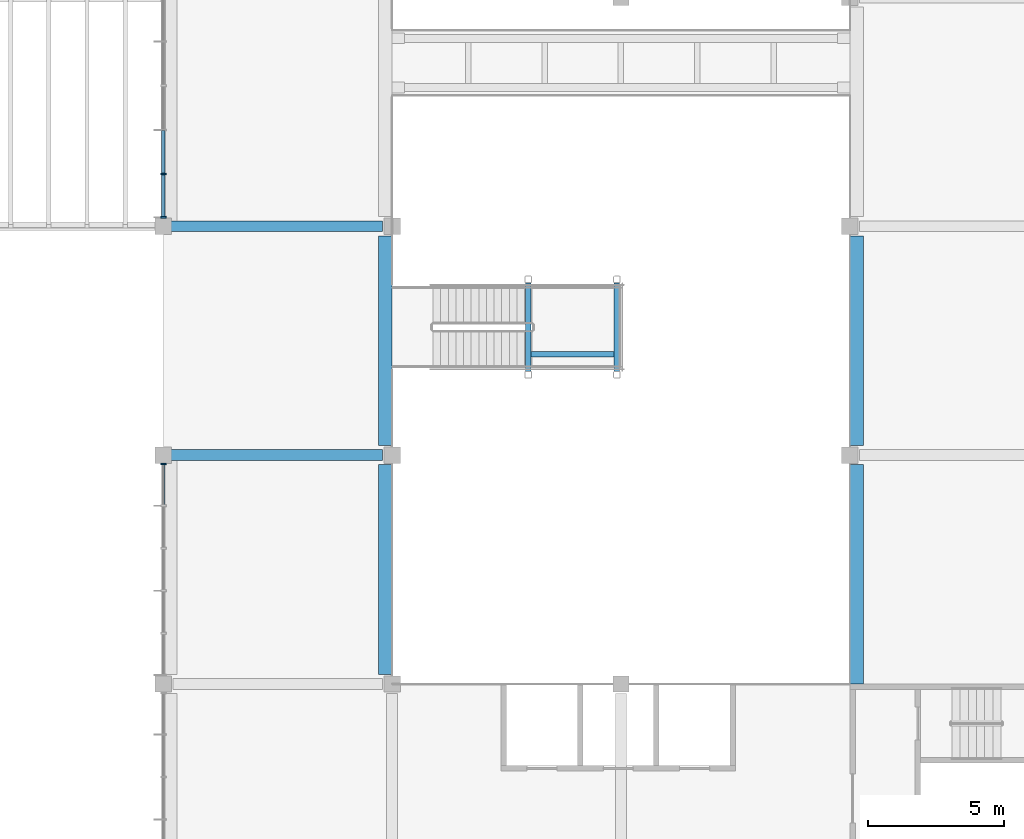
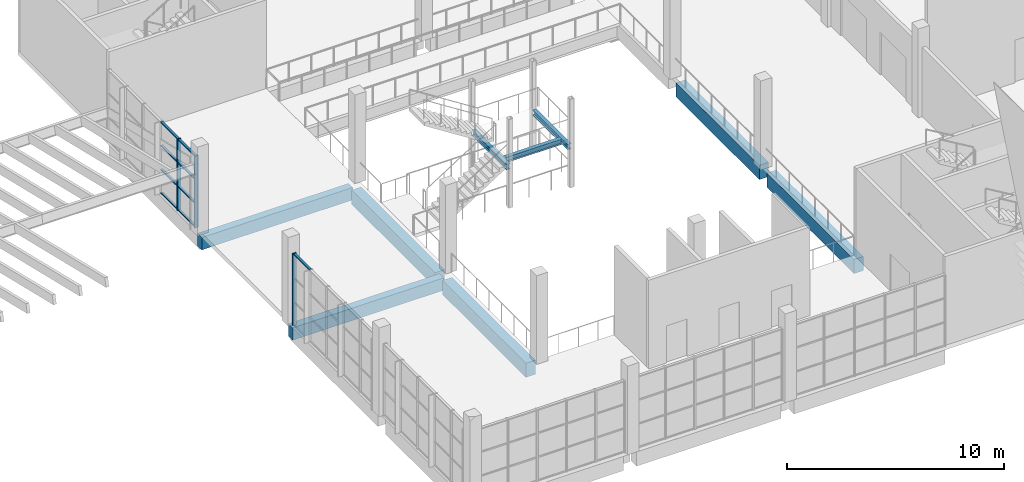
# One storey, part 8 of 59: 12 members, 9 beams, 2 elements without a shape of their own.
"""IFC4 building model written with IfcOpenShell, lengths in metres."""

from ifc_helpers import new_model, si_unit, direction, frame, origin, origin_2d, place, context, subcontext, project, spatial, rectangle, i_section, extrude, material, material_profile, profile_set, type_object, element, aggregate, save


model = new_model("IFC4")

# Units and contexts
model_context = context("Model", 3, precision=1e-05, world=origin(), true_north=direction((0.0, 1.0)))
body_context = subcontext(model_context, "Body", "Model", "MODEL_VIEW")
ifc_project = project(units=[si_unit("LENGTHUNIT", "METRE"), si_unit("AREAUNIT", "SQUARE_METRE"), si_unit("VOLUMEUNIT", "CUBIC_METRE"), si_unit("PLANEANGLEUNIT", "RADIAN"), si_unit("MASSUNIT", "GRAM", prefix="KILO")], contexts=[model_context])

# Site, building, storey
site_placement = place(None, origin())
site = spatial("IfcSite", under=ifc_project, at=site_placement, CompositionType="ELEMENT")
building_placement = place(site_placement, origin())
building = spatial("IfcBuilding", under=site, at=building_placement, Name="Almond Square Museum", CompositionType="ELEMENT")
storey_placement = place(building_placement, frame((0.0, 0.0, 25.0)))
storey = spatial("IfcBuildingStorey", under=building, at=storey_placement, Name="L04", CompositionType="ELEMENT", Elevation=25.0)

# Curtain wall, members
ifc_material_1 = material(Name="Aluminium and laminated glass", Category="aluminium")
curtain_wall_type = type_object("IfcCurtainWallType", Name="Unitised curtain wall 1500 module", PredefinedType="NOTDEFINED", material=ifc_material_1)
curtain_wall_1_placement = place(storey_placement, origin())
curtain_wall_1 = element("IfcCurtainWall", 1, at=curtain_wall_1_placement, inside=storey, type_object=curtain_wall_type, Name="Curtain wall CW-44", PredefinedType="NOTDEFINED")
ifc_material_2 = material(Name="Anodised aluminium", Category="aluminium")
ifc_material_profile_1 = material_profile(ifc_material_2, rectangle(XDim=0.199951171875, YDim=0.06005859375, at=origin_2d()))
ifc_profile_set_1 = profile_set([ifc_material_profile_1], Name="Anodised aluminium")
member_type_1 = type_object("IfcMemberType", Name="Aluminium mullion 60 x 200", PredefinedType="MULLION", material=ifc_profile_set_1)
member_1_placement = place(storey_placement, frame((73.199951171875, 92.72998046875, 0.0), z_axis=(0.0, 0.0, 1.0), x_axis=(-1.0, 0.0, 0.0)))
member_1 = element("IfcMember", 2, at=member_1_placement, type_object=member_type_1, Name="CW-44 mullion 1", PredefinedType="MULLION", context=body_context, shape_type="SweptSolid", body=[
    extrude(rectangle(XDim=0.199951171875, YDim=0.06005859375, at=origin_2d()), origin(), (0.0, 0.0, 1.0), 4.050048828125),
])
member_2_placement = place(storey_placement, frame((73.199951171875, 94.320068359375, 0.0), z_axis=(0.0, 0.0, 1.0), x_axis=(-1.0, 0.0, 0.0)))
member_2 = element("IfcMember", 3, at=member_2_placement, type_object=member_type_1, Name="CW-44 mullion 2", PredefinedType="MULLION", context=body_context, shape_type="SweptSolid", body=[
    extrude(rectangle(XDim=0.199951171875, YDim=0.06005859375, at=origin_2d()), origin(), (0.0, 0.0, 1.0), 4.050048828125),
])

# Curtain wall, member
curtain_wall_2_placement = place(storey_placement, origin())
curtain_wall_2 = element("IfcCurtainWall", 4, at=curtain_wall_2_placement, inside=storey, type_object=curtain_wall_type, Name="Curtain wall CW-45", PredefinedType="NOTDEFINED")
member_3_placement = place(storey_placement, frame((73.199951171875, 83.669921875, 0.0), z_axis=(0.0, 0.0, 1.0), x_axis=(-1.0, 0.0, 0.0)))
member_3 = element("IfcMember", 5, at=member_3_placement, type_object=member_type_1, Name="CW-45 mullion 6", PredefinedType="MULLION", context=body_context, shape_type="SweptSolid", body=[
    extrude(rectangle(XDim=0.199951171875, YDim=0.06005859375, at=origin_2d()), origin(), (0.0, 0.0, 1.0), 4.050048828125),
])

# Member
ifc_material_3 = material(Name="Anodised aluminium", Category="aluminium")
ifc_material_profile_2 = material_profile(ifc_material_3, rectangle(XDim=0.1201171875, YDim=0.06005859375, at=origin_2d()))
ifc_profile_set_2 = profile_set([ifc_material_profile_2], Name="Anodised aluminium")
member_type_2 = type_object("IfcMemberType", Name="Aluminium transom 60 x 120", PredefinedType="USERDEFINED", material=ifc_profile_set_2)
member_4_placement = place(storey_placement, frame((73.199951171875, 92.760009765625, 0.030029296875), z_axis=(0.0, 1.0, 0.0), x_axis=(-1.0, 0.0, 0.0)))
member_4 = element("IfcMember", 6, at=member_4_placement, type_object=member_type_2, Name="CW-44 transom 1.1", ObjectType="TRANSOM", PredefinedType="USERDEFINED", context=body_context, shape_type="SweptSolid", body=[
    extrude(rectangle(XDim=0.1201171875, YDim=0.06005859375, at=origin_2d()), origin(), (0.0, 0.0, 1.0), 1.530029296875),
])

member_5_placement = place(storey_placement, frame((73.199951171875, 92.760009765625, 1.35009765625), z_axis=(0.0, 1.0, 0.0), x_axis=(-1.0, 0.0, 0.0)))
member_5 = element("IfcMember", 7, at=member_5_placement, type_object=member_type_2, Name="CW-44 transom 1.2", ObjectType="TRANSOM", PredefinedType="USERDEFINED", context=body_context, shape_type="SweptSolid", body=[
    extrude(rectangle(XDim=0.1201171875, YDim=0.06005859375, at=origin_2d()), origin(), (0.0, 0.0, 1.0), 1.530029296875),
])

member_6_placement = place(storey_placement, frame((73.199951171875, 92.760009765625, 2.699951171875), z_axis=(0.0, 1.0, 0.0), x_axis=(-1.0, 0.0, 0.0)))
member_6 = element("IfcMember", 8, at=member_6_placement, type_object=member_type_2, Name="CW-44 transom 1.3", ObjectType="TRANSOM", PredefinedType="USERDEFINED", context=body_context, shape_type="SweptSolid", body=[
    extrude(rectangle(XDim=0.1201171875, YDim=0.06005859375, at=origin_2d()), origin(), (0.0, 0.0, 1.0), 1.530029296875),
])

member_7_placement = place(storey_placement, frame((73.199951171875, 92.760009765625, 4.02001953125), z_axis=(0.0, 1.0, 0.0), x_axis=(-1.0, 0.0, 0.0)))
member_7 = element("IfcMember", 9, at=member_7_placement, type_object=member_type_2, Name="CW-44 transom 1.4", ObjectType="TRANSOM", PredefinedType="USERDEFINED", context=body_context, shape_type="SweptSolid", body=[
    extrude(rectangle(XDim=0.1201171875, YDim=0.06005859375, at=origin_2d()), origin(), (0.0, 0.0, 1.0), 1.530029296875),
])

member_8_placement = place(storey_placement, frame((73.199951171875, 94.35009765625, 0.030029296875), z_axis=(0.0, 1.0, 0.0), x_axis=(-1.0, 0.0, 0.0)))
member_8 = element("IfcMember", 10, at=member_8_placement, type_object=member_type_2, Name="CW-44 transom 2.1", ObjectType="TRANSOM", PredefinedType="USERDEFINED", context=body_context, shape_type="SweptSolid", body=[
    extrude(rectangle(XDim=0.1201171875, YDim=0.06005859375, at=origin_2d()), origin(), (0.0, 0.0, 1.0), 1.559814453125),
])

member_9_placement = place(storey_placement, frame((73.199951171875, 94.35009765625, 1.35009765625), z_axis=(0.0, 1.0, 0.0), x_axis=(-1.0, 0.0, 0.0)))
member_9 = element("IfcMember", 11, at=member_9_placement, type_object=member_type_2, Name="CW-44 transom 2.2", ObjectType="TRANSOM", PredefinedType="USERDEFINED", context=body_context, shape_type="SweptSolid", body=[
    extrude(rectangle(XDim=0.1201171875, YDim=0.06005859375, at=origin_2d()), origin(), (0.0, 0.0, 1.0), 1.559814453125),
])

member_10_placement = place(storey_placement, frame((73.199951171875, 94.35009765625, 2.699951171875), z_axis=(0.0, 1.0, 0.0), x_axis=(-1.0, 0.0, 0.0)))
member_10 = element("IfcMember", 12, at=member_10_placement, type_object=member_type_2, Name="CW-44 transom 2.3", ObjectType="TRANSOM", PredefinedType="USERDEFINED", context=body_context, shape_type="SweptSolid", body=[
    extrude(rectangle(XDim=0.1201171875, YDim=0.06005859375, at=origin_2d()), origin(), (0.0, 0.0, 1.0), 1.559814453125),
])

member_11_placement = place(storey_placement, frame((73.199951171875, 94.35009765625, 4.02001953125), z_axis=(0.0, 1.0, 0.0), x_axis=(-1.0, 0.0, 0.0)))
member_11 = element("IfcMember", 13, at=member_11_placement, type_object=member_type_2, Name="CW-44 transom 2.4", ObjectType="TRANSOM", PredefinedType="USERDEFINED", context=body_context, shape_type="SweptSolid", body=[
    extrude(rectangle(XDim=0.1201171875, YDim=0.06005859375, at=origin_2d()), origin(), (0.0, 0.0, 1.0), 1.559814453125),
])

aggregate(curtain_wall_1, [member_1, member_2, member_4, member_5, member_6, member_7, member_8, member_9, member_10, member_11])

member_12_placement = place(storey_placement, frame((73.199951171875, 82.169921875, 4.02001953125), z_axis=(0.0, 1.0, 0.0), x_axis=(-1.0, 0.0, 0.0)))
member_12 = element("IfcMember", 14, at=member_12_placement, type_object=member_type_2, Name="CW-45 transom 5.4", ObjectType="TRANSOM", PredefinedType="USERDEFINED", context=body_context, shape_type="SweptSolid", body=[
    extrude(rectangle(XDim=0.1201171875, YDim=0.06005859375, at=origin_2d()), origin(), (0.0, 0.0, 1.0), 1.469970703125),
])

aggregate(curtain_wall_2, [member_3, member_12])

# Beams
ifc_material_4 = material(Name="Structural steel S355", Category="steel")
ifc_material_profile_3 = material_profile(ifc_material_4, i_section(OverallWidth=0.202880859375, OverallDepth=0.302001953125, WebThickness=0.007568359375, FlangeThickness=0.01318359375, at=origin_2d()))
ifc_profile_set_3 = profile_set([ifc_material_profile_3], Name="Structural steel S355")
beam_type_1 = type_object("IfcBeamType", Name="Feature stair landing beam W310x60", PredefinedType="BEAM", material=ifc_profile_set_3)
for number, where, z_axis, x_axis, name in (
    (15, (86.594970703125, 87.074951171875, 2.14892578125), (0.0, 1.0, 0.0), (-1.0, 0.0, 0.0), "L04 atrium feature stair landing beam"),
    (16, (89.85009765625, 87.074951171875, 2.14892578125), (0.0, 1.0, 0.0), (-1.0, 0.0, 0.0), "L04 atrium feature stair landing beam"),
):
    element("IfcBeam", number, at=place(storey_placement, frame(where, z_axis=z_axis, x_axis=x_axis)), inside=storey, type_object=beam_type_1, Name=name, PredefinedType="BEAM", context=body_context, shape_type="SweptSolid", body=[
        extrude(i_section(OverallWidth=0.202880859375, OverallDepth=0.302001953125, WebThickness=0.007568359375, FlangeThickness=0.01318359375, at=origin_2d()), origin(), (0.0, 0.0, 1.0), 3.25),
    ])
beam_1_placement = place(storey_placement, frame((86.696533203125, 87.699951171875, 2.14892578125), z_axis=(1.0, 0.0, 0.0), x_axis=(0.0, 1.0, 0.0)))
element("IfcBeam", 17, at=beam_1_placement, inside=storey, type_object=beam_type_1, Name="L04 atrium feature stair landing trimmer", PredefinedType="BEAM", context=body_context, shape_type="SweptSolid", body=[
    extrude(i_section(OverallWidth=0.202880859375, OverallDepth=0.302001953125, WebThickness=0.007568359375, FlangeThickness=0.01318359375, at=origin_2d()), origin(), (0.0, 0.0, 1.0), 3.052001953125),
])
ifc_material_5 = material(Name="Concrete C40/50", Category="concrete")
ifc_material_profile_4 = material_profile(ifc_material_5, rectangle(XDim=0.39990234375, YDim=0.699951171875, at=origin_2d()))
ifc_profile_set_4 = profile_set([ifc_material_profile_4], Name="Concrete C40/50")
beam_type_2 = type_object("IfcBeamType", Name="RC beam 400 x 700 C40/50", PredefinedType="BEAM", material=ifc_profile_set_4)
for number, where, z_axis, x_axis, name in (
    (18, (73.199951171875, 84.0, -0.60009765625), (1.0, 0.0, 0.0), (0.0, 1.0, 0.0), "Beam K 10-11 L04"),
    (19, (73.199951171875, 92.39990234375, -0.60009765625), (1.0, 0.0, 0.0), (0.0, 1.0, 0.0), "Beam L 10-11 L04"),
):
    element("IfcBeam", number, at=place(storey_placement, frame(where, z_axis=z_axis, x_axis=x_axis)), inside=storey, type_object=beam_type_2, Name=name, PredefinedType="BEAM", context=body_context, shape_type="SweptSolid", body=[
        extrude(rectangle(XDim=0.39990234375, YDim=0.699951171875, at=origin_2d()), origin(), (0.0, 0.0, 1.0), 8.050048828125),
    ])
ifc_material_6 = material(Name="Concrete C40/50", Category="concrete")
ifc_material_profile_5 = material_profile(ifc_material_6, rectangle(XDim=0.5, YDim=0.800048828125, at=origin_2d()))
ifc_profile_set_5 = profile_set([ifc_material_profile_5], Name="Concrete C40/50")
beam_type_3 = type_object("IfcBeamType", Name="RC edge beam 500 x 800 C40/50", PredefinedType="BEAM", material=ifc_profile_set_5)
for number, where, z_axis, x_axis, name in (
    (20, (81.35009765625, 75.949951171875, -0.64990234375), (0.0, 1.0, 0.0), (-1.0, 0.0, 0.0), "Edge beam 11 J-K L04"),
    (21, (81.35009765625, 84.35009765625, -0.64990234375), (0.0, 1.0, 0.0), (-1.0, 0.0, 0.0), "Edge beam 11 K-L L04"),
):
    element("IfcBeam", number, at=place(storey_placement, frame(where, z_axis=z_axis, x_axis=x_axis)), inside=storey, type_object=beam_type_3, Name=name, PredefinedType="BEAM", context=body_context, shape_type="SweptSolid", body=[
        extrude(rectangle(XDim=0.5, YDim=0.800048828125, at=origin_2d()), origin(), (0.0, 0.0, 1.0), 7.699951171875),
    ])
beam_2_placement = place(storey_placement, frame((98.64990234375, 75.60009765625, -0.64990234375), z_axis=(0.0, 1.0, 0.0), x_axis=(-1.0, 0.0, 0.0)))
element("IfcBeam", 22, at=beam_2_placement, inside=storey, type_object=beam_type_3, Name="Edge beam 13 J-K L04", PredefinedType="BEAM", context=body_context, shape_type="SweptSolid", body=[
    extrude(rectangle(XDim=0.5, YDim=0.800048828125, at=origin_2d()), origin(), (0.0, 0.0, 1.0), 8.0498046875),
])
beam_3_placement = place(storey_placement, frame((98.64990234375, 84.35009765625, -0.64990234375), z_axis=(0.0, 1.0, 0.0), x_axis=(-1.0, 0.0, 0.0)))
element("IfcBeam", 23, at=beam_3_placement, inside=storey, type_object=beam_type_3, Name="Edge beam 13 K-L L04", PredefinedType="BEAM", context=body_context, shape_type="SweptSolid", body=[
    extrude(rectangle(XDim=0.5, YDim=0.800048828125, at=origin_2d()), origin(), (0.0, 0.0, 1.0), 7.699951171875),
])

save(model, "model.ifc")
